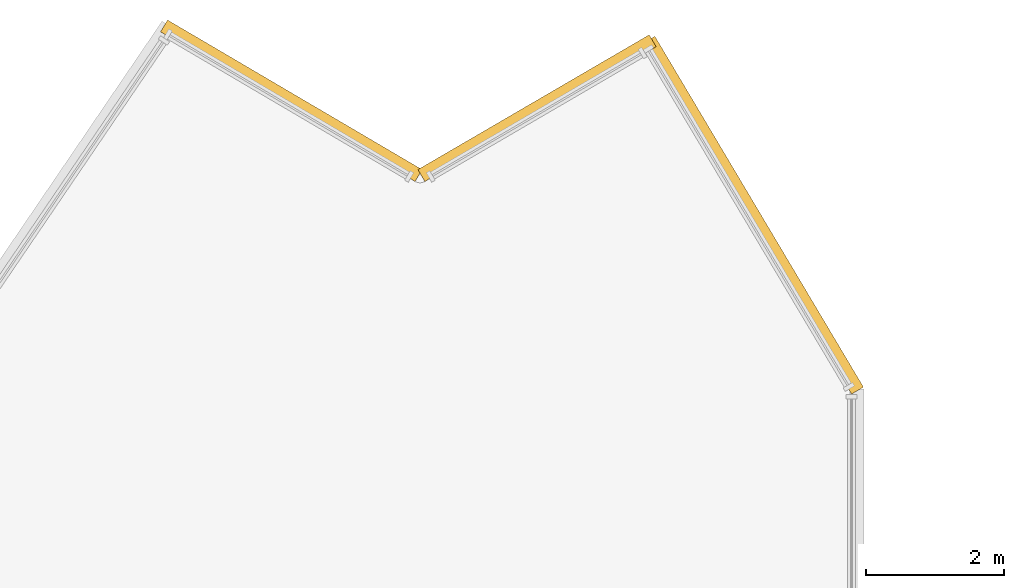
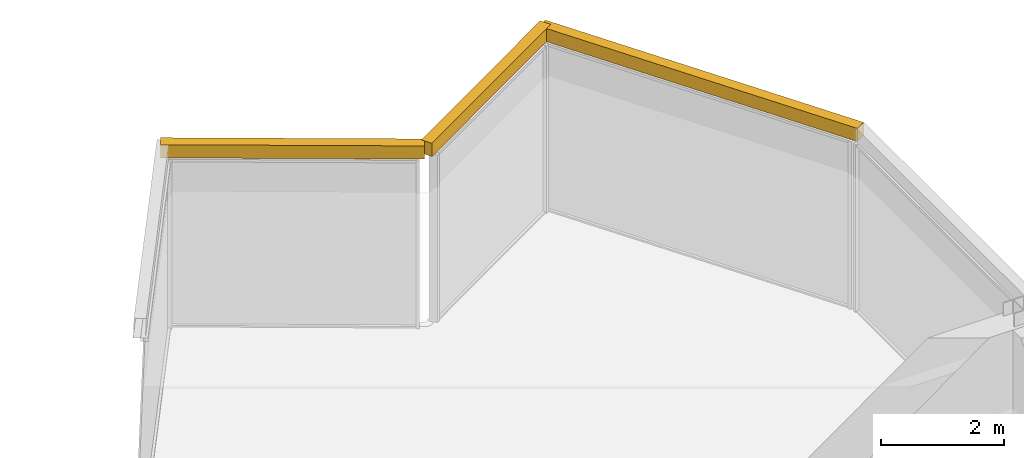
# One storey, part 14 of 15: 3 coverings.
"""IFC4 building model written with IfcOpenShell, lengths in metres."""

from ifc_helpers import new_model, si_unit, direction, frame, origin, place, context, subcontext, project, spatial, polyline, outline, extrude, material, layer, layer_set, type_object, element, save


model = new_model("IFC4")

# Units and contexts
model_context = context("Model", 3, precision=1e-05, world=origin(), true_north=direction((0.0, 1.0)))
body_context = subcontext(model_context, "Body", "Model", "MODEL_VIEW")
ifc_project = project(units=[si_unit("LENGTHUNIT", "METRE"), si_unit("AREAUNIT", "SQUARE_METRE"), si_unit("VOLUMEUNIT", "CUBIC_METRE"), si_unit("PLANEANGLEUNIT", "RADIAN"), si_unit("MASSUNIT", "GRAM", prefix="KILO")], contexts=[model_context])

# Site, building, storey
site_placement = place(None, origin())
site = spatial("IfcSite", under=ifc_project, at=site_placement, CompositionType="ELEMENT")
building_placement = place(site_placement, origin())
building = spatial("IfcBuilding", under=site, at=building_placement, Name="Savorim Split Tower", CompositionType="ELEMENT")
storey_placement = place(building_placement, frame((0.0, 0.0, 301.199951171875)))
storey = spatial("IfcBuildingStorey", under=building, at=storey_placement, Name="Crown L80 Plant", CompositionType="ELEMENT", Elevation=301.199951171875)

# Coverings
ifc_material = material(Name="Terracotta Ceramic-Coated Aluminium Fin", Category="masonry")
ifc_layer = layer(ifc_material, 0.050048828125)
ifc_layer_set = layer_set([ifc_layer], Name="COV-CLAD-TERRA")
covering_type = type_object("IfcCoveringType", Name="COV-CLAD-TERRA", PredefinedType="CLADDING", material=ifc_layer_set)
covering_1_placement = place(storey_placement, frame((0.0, 0.0, 3.340087890625)))
element("IfcCovering", 1, at=covering_1_placement, inside=storey, type_object=covering_type, Name="Crown L80 Plant Sloped Crest Eave Spandrel W2", PredefinedType="CLADDING", context=body_context, shape_type="SweptSolid", body=[
    extrude(outline(polyline([(8.1015625, 15.93212890625), (5.0751953125, 21.021484375), (4.9033203125, 20.919189453125), (7.9296875, 15.829833984375), (8.1015625, 15.93212890625)])), origin(), (0.0, 0.0, 1.0), 0.260009765625),
])
covering_2_placement = place(storey_placement, frame((0.0, 0.0, 3.340087890625)))
element("IfcCovering", 2, at=covering_2_placement, inside=storey, type_object=covering_type, Name="Crown L80 Plant Sloped Crest Eave Spandrel W3", PredefinedType="CLADDING", context=body_context, shape_type="SweptSolid", body=[
    extrude(outline(polyline([(4.993408203125, 21.04248046875), (1.63818359375, 19.087158203125), (1.739013671875, 18.914306640625), (5.09423828125, 20.869873046875), (4.993408203125, 21.04248046875)])), origin(), (0.0, 0.0, 1.0), 0.260009765625),
])
covering_3_placement = place(storey_placement, frame((0.0, 0.0, 3.340087890625)))
element("IfcCovering", 3, at=covering_3_placement, inside=storey, type_object=covering_type, Name="Crown L80 Plant Sloped Crest Eave Spandrel W4", PredefinedType="CLADDING", context=body_context, shape_type="SweptSolid", body=[
    extrude(outline(polyline([(1.69873046875, 19.0869140625), (-1.993896484375, 21.25732421875), (-2.09521484375, 21.0849609375), (1.597412109375, 18.91455078125), (1.69873046875, 19.0869140625)])), origin(), (0.0, 0.0, 1.0), 0.260009765625),
])

save(model, "model.ifc")
